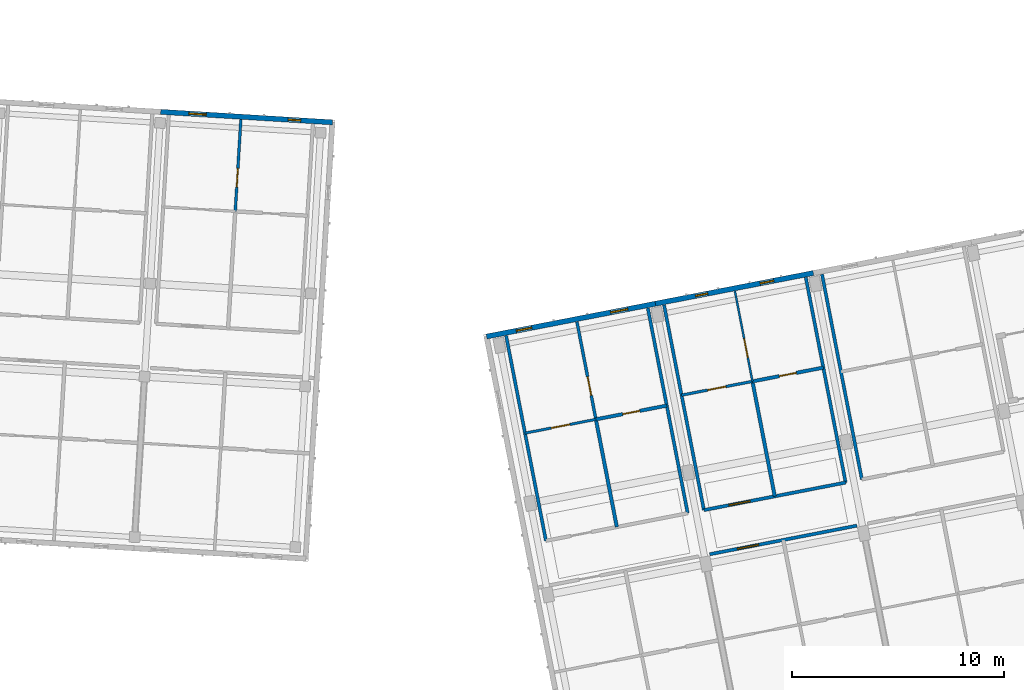
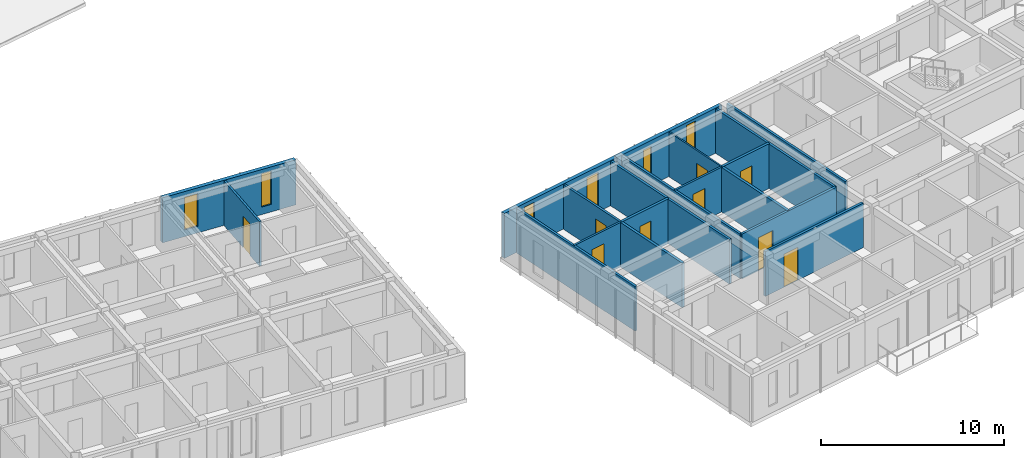
# One storey, part 24 of 74: 19 walls, 9 doors, 6 windows, 15 openings.
"""IFC4 building model written with IfcOpenShell, lengths in metres."""

from ifc_helpers import new_model, si_unit, direction, frame, frame_2d, origin, place, context, subcontext, project, spatial, rectangle, extrude, material, layer, layer_set, type_object, element, fill, save


model = new_model("IFC4")

# Units and contexts
model_context = context("Model", 3, precision=1e-05, world=origin(), true_north=direction((0.0, 1.0)))
body_context = subcontext(model_context, "Body", "Model", "MODEL_VIEW")
ifc_project = project(units=[si_unit("LENGTHUNIT", "METRE"), si_unit("AREAUNIT", "SQUARE_METRE"), si_unit("VOLUMEUNIT", "CUBIC_METRE"), si_unit("PLANEANGLEUNIT", "RADIAN"), si_unit("MASSUNIT", "GRAM", prefix="KILO")], contexts=[model_context])

# Site, building, storey
site_placement = place(None, origin())
site = spatial("IfcSite", under=ifc_project, at=site_placement, CompositionType="ELEMENT")
building_placement = place(site_placement, origin())
building = spatial("IfcBuilding", under=site, at=building_placement, Name="Kestramere Prow Commons", CompositionType="ELEMENT")
storey_placement = place(building_placement, frame((0.0, 0.0, 11.64990234375)))
storey = spatial("IfcBuildingStorey", under=building, at=storey_placement, Name="L03", CompositionType="ELEMENT", Elevation=11.64990234375)

# Wall, openings, windows
ifc_material_1 = material(Name="Fluoropolymer Standing-Seam Zinc-Aluminium Cladding", Category="aluminium")
ifc_layer_1 = layer(ifc_material_1, 0.239990234375)
ifc_layer_set_1 = layer_set([ifc_layer_1], Name="Fluoropolymer Standing-Seam Zinc-Aluminium Cladding")
wall_type_1 = type_object("IfcWallType", Name="EW-SEAM-240", PredefinedType="SOLIDWALL", material=ifc_layer_set_1)
wall_1_placement = place(storey_placement, frame((98.65771484375, 64.267578125, 0.0), z_axis=(0.0, 0.0, 1.0), x_axis=(0.998134248939, -0.061057522844, 0.0)))
wall_1 = element("IfcWall", 1, at=wall_1_placement, inside=storey, type_object=wall_type_1, Name="Block C L03 North Standing-Seam Wall 6", PredefinedType="SOLIDWALL", context=body_context, shape_type="SweptSolid", body=[
    extrude(rectangle(XDim=8.125, YDim=0.239990234375, at=frame_2d((4.0625, 0.0))), origin(), (0.0, 0.0, 1.0), 3.0),
])
opening_1_placement = place(wall_1_placement, frame((1.333984375, 0.0, 0.43994140625)))
opening_1 = element("IfcOpeningElement", 2, at=opening_1_placement, cuts=wall_1, Name="Opening WN-13", PredefinedType="OPENING", context=body_context, shape_type="SweptSolid", body=[
    extrude(rectangle(XDim=0.820068359375, YDim=2.179931640625, at=frame_2d((0.41015625, 1.08984375))), frame((0.0, 0.135009765625, 0.0), z_axis=(0.0, -1.0, 0.0), x_axis=(1.0, 0.0, 0.0)), (0.0, 0.0, 1.0), 0.27001953125),
])
opening_2_placement = place(wall_1_placement, frame((6.028564453125, 0.0, 0.5)))
opening_2 = element("IfcOpeningElement", 3, at=opening_2_placement, cuts=wall_1, Name="Opening WN-02", PredefinedType="OPENING", context=body_context, shape_type="SweptSolid", body=[
    extrude(rectangle(XDim=0.60009765625, YDim=2.219970703125, at=frame_2d((0.300048828125, 1.10986328125))), frame((0.0, 0.135009765625, 0.0), z_axis=(0.0, -1.0, 0.0), x_axis=(1.0, 0.0, 0.0)), (0.0, 0.0, 1.0), 0.27001953125),
])
ifc_material_2 = material(Name="Low-E Laminated Double Glazing", Category="glass")
window_type_1 = type_object("IfcWindowType", Name="WN-NAR-600A", PartitioningType="SINGLE_PANEL", PredefinedType="WINDOW", material=ifc_material_2)
window_1_placement = place(opening_2_placement, origin())
window_1 = element("IfcWindow", 4, at=window_1_placement, inside=storey, type_object=window_type_1, Name="WN-C-L03-N-5-1", OverallHeight=2.219970703125, OverallWidth=0.60009765625, PartitioningType="SINGLE_PANEL", PredefinedType="WINDOW", context=body_context, shape_type="SweptSolid", body=[
    extrude(rectangle(XDim=0.60009765625, YDim=2.219970703125, at=frame_2d((0.300048828125, 1.10986328125))), frame((0.0, 0.030029296875, 0.0), z_axis=(0.0, -1.0, 0.0), x_axis=(1.0, 0.0, 0.0)), (0.0, 0.0, 1.0), 0.06005859375),
])
fill(opening_2, window_1)
window_type_2 = type_object("IfcWindowType", Name="WN-NAR-820A", PartitioningType="DOUBLE_PANEL_VERTICAL", PredefinedType="WINDOW", material=ifc_material_2)
window_2_placement = place(opening_1_placement, origin())
window_2 = element("IfcWindow", 5, at=window_2_placement, inside=storey, type_object=window_type_2, Name="WN-C-L03-N-5-0", OverallHeight=2.179931640625, OverallWidth=0.820068359375, PartitioningType="SINGLE_PANEL", PredefinedType="WINDOW", context=body_context, shape_type="SweptSolid", body=[
    extrude(rectangle(XDim=0.820068359375, YDim=2.179931640625, at=frame_2d((0.41015625, 1.08984375))), frame((0.0, 0.030029296875, 0.0), z_axis=(0.0, -1.0, 0.0), x_axis=(1.0, 0.0, 0.0)), (0.0, 0.0, 1.0), 0.06005859375),
])
fill(opening_1, window_2)

wall_2_placement = place(storey_placement, frame((114.044677734375, 53.655029296875, 0.0), z_axis=(0.0, 0.0, 1.0), x_axis=(0.981627273155, 0.190808533872, 0.0)))
wall_2 = element("IfcWall", 6, at=wall_2_placement, inside=storey, type_object=wall_type_1, Name="Block D L03 North Standing-Seam Wall 1", PredefinedType="SOLIDWALL", context=body_context, shape_type="SweptSolid", body=[
    extrude(rectangle(XDim=8.124755859375, YDim=0.239990234375, at=frame_2d((4.0625, 0.0))), origin(), (0.0, 0.0, 1.0), 3.0),
])
opening_3_placement = place(wall_2_placement, frame((1.4345703125, 0.0, 0.5)))
opening_3 = element("IfcOpeningElement", 7, at=opening_3_placement, cuts=wall_2, Name="Opening WN-09", PredefinedType="OPENING", context=body_context, shape_type="SweptSolid", body=[
    extrude(rectangle(XDim=0.739990234375, YDim=2.260009765625, at=frame_2d((0.3701171875, 1.1298828125))), frame((0.0, 0.135009765625, 0.0), z_axis=(0.0, -1.0, 0.0), x_axis=(1.0, 0.0, 0.0)), (0.0, 0.0, 1.0), 0.27001953125),
])
opening_4_placement = place(wall_2_placement, frame((5.970947265625, 0.0, 0.43994140625)))
opening_4 = element("IfcOpeningElement", 8, at=opening_4_placement, cuts=wall_2, Name="Opening WN-13", PredefinedType="OPENING", context=body_context, shape_type="SweptSolid", body=[
    extrude(rectangle(XDim=0.820068359375, YDim=2.179931640625, at=frame_2d((0.41015625, 1.08984375))), frame((0.0, 0.135009765625, 0.0), z_axis=(0.0, -1.0, 0.0), x_axis=(1.0, 0.0, 0.0)), (0.0, 0.0, 1.0), 0.27001953125),
])
window_type_3 = type_object("IfcWindowType", Name="WN-NAR-740A", PartitioningType="SINGLE_PANEL", PredefinedType="WINDOW", material=ifc_material_2)
window_3_placement = place(opening_3_placement, origin())
window_3 = element("IfcWindow", 9, at=window_3_placement, inside=storey, type_object=window_type_3, Name="WN-D-L03-N-0-0", OverallHeight=2.260009765625, OverallWidth=0.739990234375, PartitioningType="SINGLE_PANEL", PredefinedType="WINDOW", context=body_context, shape_type="SweptSolid", body=[
    extrude(rectangle(XDim=0.739990234375, YDim=2.260009765625, at=frame_2d((0.3701171875, 1.1298828125))), frame((0.0, 0.030029296875, 0.0), z_axis=(0.0, -1.0, 0.0), x_axis=(1.0, 0.0, 0.0)), (0.0, 0.0, 1.0), 0.06005859375),
])
fill(opening_3, window_3)
window_4_placement = place(opening_4_placement, origin())
window_4 = element("IfcWindow", 10, at=window_4_placement, inside=storey, type_object=window_type_2, Name="WN-D-L03-N-0-1", OverallHeight=2.179931640625, OverallWidth=0.820068359375, PartitioningType="SINGLE_PANEL", PredefinedType="WINDOW", context=body_context, shape_type="SweptSolid", body=[
    extrude(rectangle(XDim=0.820068359375, YDim=2.179931640625, at=frame_2d((0.41015625, 1.08984375))), frame((0.0, 0.030029296875, 0.0), z_axis=(0.0, -1.0, 0.0), x_axis=(1.0, 0.0, 0.0)), (0.0, 0.0, 1.0), 0.06005859375),
])
fill(opening_4, window_4)

wall_3_placement = place(storey_placement, frame((122.020263671875, 55.205322265625, 0.0), z_axis=(0.0, 0.0, 1.0), x_axis=(0.981626422232, 0.190812911449, 0.0)))
wall_3 = element("IfcWall", 11, at=wall_3_placement, inside=storey, type_object=wall_type_1, Name="Block D L03 North Standing-Seam Wall 2", PredefinedType="SOLIDWALL", context=body_context, shape_type="SweptSolid", body=[
    extrude(rectangle(XDim=7.60009765625, YDim=0.239990234375, at=frame_2d((3.800048828125, 0.0))), origin(), (0.0, 0.0, 1.0), 3.0),
])
opening_5_placement = place(wall_3_placement, frame((1.93212890625, 0.0, 0.43994140625)))
opening_5 = element("IfcOpeningElement", 12, at=opening_5_placement, cuts=wall_3, Name="Opening WN-01", PredefinedType="OPENING", context=body_context, shape_type="SweptSolid", body=[
    extrude(rectangle(XDim=0.580078125, YDim=2.159912109375, at=frame_2d((0.2900390625, 1.080078125))), frame((0.0, 0.135009765625, 0.0), z_axis=(0.0, -1.0, 0.0), x_axis=(1.0, 0.0, 0.0)), (0.0, 0.0, 1.0), 0.27001953125),
])
opening_6_placement = place(wall_3_placement, frame((5.03759765625, 0.0, 0.5)))
opening_6 = element("IfcOpeningElement", 13, at=opening_6_placement, cuts=wall_3, Name="Opening WN-05", PredefinedType="OPENING", context=body_context, shape_type="SweptSolid", body=[
    extrude(rectangle(XDim=0.659912109375, YDim=2.320068359375, at=frame_2d((0.330078125, 1.16015625))), frame((0.0, 0.135009765625, 0.0), z_axis=(0.0, -1.0, 0.0), x_axis=(1.0, 0.0, 0.0)), (0.0, 0.0, 1.0), 0.27001953125),
])
window_type_4 = type_object("IfcWindowType", Name="WN-NAR-580A", PartitioningType="SINGLE_PANEL", PredefinedType="WINDOW", material=ifc_material_2)
window_5_placement = place(opening_5_placement, origin())
window_5 = element("IfcWindow", 14, at=window_5_placement, inside=storey, type_object=window_type_4, Name="WN-D-L03-N-1-0", OverallHeight=2.159912109375, OverallWidth=0.580078125, PartitioningType="SINGLE_PANEL", PredefinedType="WINDOW", context=body_context, shape_type="SweptSolid", body=[
    extrude(rectangle(XDim=0.580078125, YDim=2.159912109375, at=frame_2d((0.2900390625, 1.080078125))), frame((0.0, 0.030029296875, 0.0), z_axis=(0.0, -1.0, 0.0), x_axis=(1.0, 0.0, 0.0)), (0.0, 0.0, 1.0), 0.06005859375),
])
fill(opening_5, window_5)
window_type_5 = type_object("IfcWindowType", Name="WN-NAR-660A", PartitioningType="SINGLE_PANEL", PredefinedType="WINDOW", material=ifc_material_2)
window_6_placement = place(opening_6_placement, origin())
window_6 = element("IfcWindow", 15, at=window_6_placement, inside=storey, type_object=window_type_5, Name="WN-D-L03-N-1-1", OverallHeight=2.320068359375, OverallWidth=0.659912109375, PartitioningType="SINGLE_PANEL", PredefinedType="WINDOW", context=body_context, shape_type="SweptSolid", body=[
    extrude(rectangle(XDim=0.659912109375, YDim=2.320068359375, at=frame_2d((0.330078125, 1.16015625))), frame((0.0, 0.030029296875, 0.0), z_axis=(0.0, -1.0, 0.0), x_axis=(1.0, 0.0, 0.0)), (0.0, 0.0, 1.0), 0.06005859375),
])
fill(opening_6, window_6)

# Wall, opening, door
ifc_material_3 = material(Name="Fire-Rated Calcium Silicate Wall")
ifc_layer_2 = layer(ifc_material_3, 0.155029296875)
ifc_layer_set_2 = layer_set([ifc_layer_2], Name="Fire-Rated Calcium Silicate Wall")
wall_type_2 = type_object("IfcWallType", Name="W-FIRE-150", PredefinedType="PARTITIONING", material=ifc_layer_set_2)
wall_4_placement = place(storey_placement, frame((124.585205078125, 43.372314453125, 0.0), z_axis=(0.0, 0.0, 1.0), x_axis=(0.9816234647, 0.190828125677, 0.0)))
wall_4 = element("IfcWall", 16, at=wall_4_placement, inside=storey, type_object=wall_type_2, Name="Interior Partition PW-D-L03-CS-1", PredefinedType="PARTITIONING", context=body_context, shape_type="SweptSolid", body=[
    extrude(rectangle(XDim=7.080078125, YDim=0.155029296875, at=frame_2d((3.5400390625, 0.0))), origin(), (0.0, 0.0, 1.0), 2.97021484375),
])
opening_7_placement = place(wall_4_placement, frame((1.330078125, 0.0, 0.0)))
opening_7 = element("IfcOpeningElement", 17, at=opening_7_placement, cuts=wall_4, Name="Opening ID-05", PredefinedType="OPENING", context=body_context, shape_type="SweptSolid", body=[
    extrude(rectangle(XDim=1.02001953125, YDim=2.199951171875, at=frame_2d((0.510009765625, 1.10009765625))), frame((0.0, 0.092529296875, 0.0), z_axis=(0.0, -1.0, 0.0), x_axis=(1.0, 0.0, 0.0)), (0.0, 0.0, 1.0), 0.18505859375),
])
ifc_material_4 = material(Name="Hardwood Fire-Rated Flat Entrance Door", Category="wood")
door_type_1 = type_object("IfcDoorType", Name="FD-ENT-02", OperationType="NOTDEFINED", PredefinedType="DOOR", material=ifc_material_4)
door_1_placement = place(opening_7_placement, origin())
door_1 = element("IfcDoor", 18, at=door_1_placement, inside=storey, type_object=door_type_1, Name="Interior Door DR-D-L03-ENT-S1", OperationType="SINGLE_SWING_LEFT", OverallHeight=2.199951171875, OverallWidth=1.02001953125, PredefinedType="DOOR", context=body_context, shape_type="SweptSolid", body=[
    extrude(rectangle(XDim=1.02001953125, YDim=2.199951171875, at=frame_2d((0.510009765625, 1.10009765625))), frame((0.0, 0.02490234375, 0.0), z_axis=(0.0, -1.0, 0.0), x_axis=(1.0, 0.0, 0.0)), (0.0, 0.0, 1.0), 0.050048828125),
])
fill(opening_7, door_1)

wall_5_placement = place(storey_placement, frame((124.312255859375, 45.458740234375, 0.0), z_axis=(0.0, 0.0, 1.0), x_axis=(0.981627870431, 0.190805461121, 0.0)))
wall_5 = element("IfcWall", 19, at=wall_5_placement, inside=storey, type_object=wall_type_2, Name="Interior Partition PW-D-L03-CN-1", PredefinedType="PARTITIONING", context=body_context, shape_type="SweptSolid", body=[
    extrude(rectangle(XDim=6.81982421875, YDim=0.155029296875, at=frame_2d((3.409912109375, 0.0))), origin(), (0.0, 0.0, 1.0), 2.97021484375),
])
opening_8_placement = place(wall_5_placement, frame((1.205078125, 0.0, 0.0)))
opening_8 = element("IfcOpeningElement", 20, at=opening_8_placement, cuts=wall_5, Name="Opening ID-05", PredefinedType="OPENING", context=body_context, shape_type="SweptSolid", body=[
    extrude(rectangle(XDim=1.02001953125, YDim=2.199951171875, at=frame_2d((0.510009765625, 1.10009765625))), frame((0.0, 0.092529296875, 0.0), z_axis=(0.0, -1.0, 0.0), x_axis=(1.0, 0.0, 0.0)), (0.0, 0.0, 1.0), 0.18505859375),
])
door_2_placement = place(opening_8_placement, origin())
door_2 = element("IfcDoor", 21, at=door_2_placement, inside=storey, type_object=door_type_1, Name="Interior Door DR-D-L03-ENT-N1", OperationType="SINGLE_SWING_LEFT", OverallHeight=2.199951171875, OverallWidth=1.02001953125, PredefinedType="DOOR", context=body_context, shape_type="SweptSolid", body=[
    extrude(rectangle(XDim=1.02001953125, YDim=2.199951171875, at=frame_2d((0.510009765625, 1.10009765625))), frame((0.0, 0.02490234375, 0.0), z_axis=(0.0, -1.0, 0.0), x_axis=(1.0, 0.0, 0.0)), (0.0, 0.0, 1.0), 0.050048828125),
])
fill(opening_8, door_2)

ifc_material_5 = material(Name="Lightweight Blockwork and Plaster", Category="masonry")
ifc_layer_3 = layer(ifc_material_5, 0.1201171875)
ifc_layer_set_3 = layer_set([ifc_layer_3], Name="Lightweight Blockwork and Plaster")
wall_type_3 = type_object("IfcWallType", Name="W-PART-120", PredefinedType="PARTITIONING", material=ifc_layer_set_3)
wall_6_placement = place(storey_placement, frame((115.863525390625, 49.09326171875, 0.0), z_axis=(0.0, 0.0, 1.0), x_axis=(0.98162656706, 0.190812166391, 0.0)))
wall_6 = element("IfcWall", 22, at=wall_6_placement, inside=storey, type_object=wall_type_3, Name="Interior Partition PW-D-L03-MIDN1-0", PredefinedType="PARTITIONING", context=body_context, shape_type="SweptSolid", body=[
    extrude(rectangle(XDim=3.409912109375, YDim=0.1201171875, at=frame_2d((1.705078125, 0.0))), origin(), (0.0, 0.0, 1.0), 2.97021484375),
])
opening_9_placement = place(wall_6_placement, frame((1.2548828125, 0.0, 0.0)))
opening_9 = element("IfcOpeningElement", 23, at=opening_9_placement, cuts=wall_6, Name="Opening ID-08", PredefinedType="OPENING", context=body_context, shape_type="SweptSolid", body=[
    extrude(rectangle(XDim=0.89990234375, YDim=2.10009765625, at=frame_2d((0.449951171875, 1.050048828125))), frame((0.0, 0.074951171875, 0.0), z_axis=(0.0, -1.0, 0.0), x_axis=(1.0, 0.0, 0.0)), (0.0, 0.0, 1.0), 0.150146484375),
])
ifc_material_6 = material(Name="Engineered Timber Flush Door", Category="wood")
door_type_2 = type_object("IfcDoorType", Name="D-RM-01", OperationType="NOTDEFINED", PredefinedType="DOOR", material=ifc_material_6)
door_3_placement = place(opening_9_placement, origin())
door_3 = element("IfcDoor", 24, at=door_3_placement, inside=storey, type_object=door_type_2, Name="Interior Door DR-D-L03-KL-N0", OperationType="SINGLE_SWING_LEFT", OverallHeight=2.10009765625, OverallWidth=0.89990234375, PredefinedType="DOOR", context=body_context, shape_type="SweptSolid", body=[
    extrude(rectangle(XDim=0.89990234375, YDim=2.10009765625, at=frame_2d((0.449951171875, 1.050048828125))), frame((0.0, 0.02490234375, 0.0), z_axis=(0.0, -1.0, 0.0), x_axis=(1.0, 0.0, 0.0)), (0.0, 0.0, 1.0), 0.050048828125),
])
fill(opening_9, door_3)

ifc_layer_4 = layer(ifc_material_5, 0.1298828125)
ifc_layer_set_4 = layer_set([ifc_layer_4], Name="Lightweight Blockwork and Plaster")
wall_type_4 = type_object("IfcWallType", Name="W-PART-130", PredefinedType="PARTITIONING", material=ifc_layer_set_4)
wall_7_placement = place(storey_placement, frame((102.177490234375, 59.569091796875, 0.0), z_axis=(0.0, 0.0, 1.0), x_axis=(0.061036861365, 0.998135512621, 0.0)))
wall_7 = element("IfcWall", 25, at=wall_7_placement, inside=storey, type_object=wall_type_4, Name="Interior Partition PW-C-L03-LB-N5", PredefinedType="PARTITIONING", context=body_context, shape_type="SweptSolid", body=[
    extrude(rectangle(XDim=4.33984375, YDim=0.1298828125, at=frame_2d((2.169921875, 0.0))), origin(), (0.0, 0.0, 1.0), 2.97021484375),
])
opening_10_placement = place(wall_7_placement, frame((1.14990234375, 0.0, 0.0)))
opening_10 = element("IfcOpeningElement", 26, at=opening_10_placement, cuts=wall_7, Name="Opening ID-10", PredefinedType="OPENING", context=body_context, shape_type="SweptSolid", body=[
    extrude(rectangle(XDim=0.8798828125, YDim=2.10009765625, at=frame_2d((0.43994140625, 1.050048828125))), frame((0.0, 0.079833984375, 0.0), z_axis=(0.0, -1.0, 0.0), x_axis=(1.0, 0.0, 0.0)), (0.0, 0.0, 1.0), 0.159912109375),
])
ifc_material_7 = material(Name="Engineered Timber Bedroom Door", Category="wood")
door_type_3 = type_object("IfcDoorType", Name="D-RM-03", OperationType="NOTDEFINED", PredefinedType="DOOR", material=ifc_material_7)
door_4_placement = place(opening_10_placement, origin())
door_4 = element("IfcDoor", 27, at=door_4_placement, inside=storey, type_object=door_type_3, Name="Interior Door DR-C-L03-BED-N5", OperationType="SINGLE_SWING_LEFT", OverallHeight=2.10009765625, OverallWidth=0.8798828125, PredefinedType="DOOR", context=body_context, shape_type="SweptSolid", body=[
    extrude(rectangle(XDim=0.8798828125, YDim=2.10009765625, at=frame_2d((0.43994140625, 1.050048828125))), frame((0.0, 0.02490234375, 0.0), z_axis=(0.0, -1.0, 0.0), x_axis=(1.0, 0.0, 0.0)), (0.0, 0.0, 1.0), 0.050048828125),
])
fill(opening_10, door_4)

wall_8_placement = place(storey_placement, frame((123.257080078125, 50.886962890625, 0.0), z_axis=(0.0, 0.0, 1.0), x_axis=(0.981629173664, 0.190798756314, 0.0)))
wall_8 = element("IfcWall", 28, at=wall_8_placement, inside=storey, type_object=wall_type_4, Name="Interior Partition PW-D-L03-MIDN1-1", PredefinedType="PARTITIONING", context=body_context, shape_type="SweptSolid", body=[
    extrude(rectangle(XDim=3.41015625, YDim=0.1298828125, at=frame_2d((1.705078125, 0.0))), origin(), (0.0, 0.0, 1.0), 2.97021484375),
])
opening_11_placement = place(wall_8_placement, frame((1.2548828125, 0.0, 0.0)))
opening_11 = element("IfcOpeningElement", 29, at=opening_11_placement, cuts=wall_8, Name="Opening ID-10", PredefinedType="OPENING", context=body_context, shape_type="SweptSolid", body=[
    extrude(rectangle(XDim=0.8798828125, YDim=2.10009765625, at=frame_2d((0.43994140625, 1.050048828125))), frame((0.0, 0.079833984375, 0.0), z_axis=(0.0, -1.0, 0.0), x_axis=(1.0, 0.0, 0.0)), (0.0, 0.0, 1.0), 0.159912109375),
])
door_5_placement = place(opening_11_placement, origin())
door_5 = element("IfcDoor", 30, at=door_5_placement, inside=storey, type_object=door_type_3, Name="Interior Door DR-D-L03-KL-N1", OperationType="SINGLE_SWING_LEFT", OverallHeight=2.10009765625, OverallWidth=0.8798828125, PredefinedType="DOOR", context=body_context, shape_type="SweptSolid", body=[
    extrude(rectangle(XDim=0.8798828125, YDim=2.10009765625, at=frame_2d((0.43994140625, 1.050048828125))), frame((0.0, 0.02490234375, 0.0), z_axis=(0.0, -1.0, 0.0), x_axis=(1.0, 0.0, 0.0)), (0.0, 0.0, 1.0), 0.050048828125),
])
fill(opening_11, door_5)

ifc_material_8 = material(Name="Masonry Compartment Wall", Category="masonry")
ifc_layer_5 = layer(ifc_material_8, 0.139892578125)
ifc_layer_set_5 = layer_set([ifc_layer_5], Name="Masonry Compartment Wall")
wall_type_5 = type_object("IfcWallType", Name="W-PART-140", PredefinedType="PARTITIONING", material=ifc_layer_set_5)
wall_9_placement = place(storey_placement, frame((119.210693359375, 49.743896484375, 0.0), z_axis=(0.0, 0.0, 1.0), x_axis=(-0.190777702748, 0.981633265601, 0.0)))
wall_9 = element("IfcWall", 31, at=wall_9_placement, inside=storey, type_object=wall_type_5, Name="Interior Partition PW-D-L03-LB-N0", PredefinedType="PARTITIONING", context=body_context, shape_type="SweptSolid", body=[
    extrude(rectangle(XDim=4.690185546875, YDim=0.139892578125, at=frame_2d((2.34521484375, 0.0))), origin(), (0.0, 0.0, 1.0), 2.97021484375),
])
opening_12_placement = place(wall_9_placement, frame((1.14990234375, 0.0, 0.0)))
opening_12 = element("IfcOpeningElement", 32, at=opening_12_placement, cuts=wall_9, Name="Opening ID-08", PredefinedType="OPENING", context=body_context, shape_type="SweptSolid", body=[
    extrude(rectangle(XDim=0.89990234375, YDim=2.10009765625, at=frame_2d((0.449951171875, 1.050048828125))), frame((0.0, 0.0849609375, 0.0), z_axis=(0.0, -1.0, 0.0), x_axis=(1.0, 0.0, 0.0)), (0.0, 0.0, 1.0), 0.169921875),
])
door_6_placement = place(opening_12_placement, origin())
door_6 = element("IfcDoor", 33, at=door_6_placement, inside=storey, type_object=door_type_2, Name="Interior Door DR-D-L03-BED-N0", OperationType="SINGLE_SWING_LEFT", OverallHeight=2.10009765625, OverallWidth=0.89990234375, PredefinedType="DOOR", context=body_context, shape_type="SweptSolid", body=[
    extrude(rectangle(XDim=0.89990234375, YDim=2.10009765625, at=frame_2d((0.449951171875, 1.050048828125))), frame((0.0, 0.02490234375, 0.0), z_axis=(0.0, -1.0, 0.0), x_axis=(1.0, 0.0, 0.0)), (0.0, 0.0, 1.0), 0.050048828125),
])
fill(opening_12, door_6)

# Walls
ifc_layer_6 = layer(ifc_material_8, 0.14990234375)
ifc_layer_set_6 = layer_set([ifc_layer_6], Name="Masonry Compartment Wall")
wall_type_6 = type_object("IfcWallType", Name="W-PART-150", PredefinedType="PARTITIONING", material=ifc_layer_set_6)
wall_10_placement = place(storey_placement, frame((116.851806640625, 44.008544921875, 0.0), z_axis=(0.0, 0.0, 1.0), x_axis=(-0.190814044018, 0.981626202078, 0.0)))
element("IfcWall", 34, at=wall_10_placement, inside=storey, type_object=wall_type_6, Name="Interior Partition PW-D-L03-NWL-0", PredefinedType="PARTITIONING", context=body_context, shape_type="SweptSolid", body=[
    extrude(rectangle(XDim=9.869873046875, YDim=0.14990234375, at=frame_2d((4.93505859375, 0.0))), origin(), (0.0, 0.0, 1.0), 2.97021484375),
])
wall_11_placement = place(storey_placement, frame((123.546630859375, 45.309814453125, 0.0), z_axis=(0.0, 0.0, 1.0), x_axis=(-0.190809410863, 0.981627102685, 0.0)))
element("IfcWall", 35, at=wall_11_placement, inside=storey, type_object=wall_type_6, Name="Interior Partition PW-D-L03-NWR-0", PredefinedType="PARTITIONING", context=body_context, shape_type="SweptSolid", body=[
    extrude(rectangle(XDim=9.8701171875, YDim=0.14990234375, at=frame_2d((4.93505859375, 0.0))), origin(), (0.0, 0.0, 1.0), 2.97021484375),
])
wall_12_placement = place(storey_placement, frame((124.312255859375, 45.458740234375, 0.0), z_axis=(0.0, 0.0, 1.0), x_axis=(-0.190814044018, 0.981626202078, 0.0)))
element("IfcWall", 36, at=wall_12_placement, inside=storey, type_object=wall_type_6, Name="Interior Partition PW-D-L03-NWL-1", PredefinedType="PARTITIONING", context=body_context, shape_type="SweptSolid", body=[
    extrude(rectangle(XDim=9.869873046875, YDim=0.14990234375, at=frame_2d((4.93505859375, 0.0))), origin(), (0.0, 0.0, 1.0), 2.97021484375),
])
for number, where, z_axis, x_axis, name in (
    (37, (131.0068359375, 46.760009765625, 0.0), (0.0, 0.0, 1.0), (-0.190809410863, 0.981627102685, 0.0), "Interior Partition PW-D-L03-NWR-1"),
    (38, (131.7724609375, 46.90869140625, 0.0), (0.0, 0.0, 1.0), (-0.1907855758, 0.981631735462, 0.0), "Interior Partition PW-D-L03-NWL-2"),
):
    element("IfcWall", number, at=place(storey_placement, frame(where, z_axis=z_axis, x_axis=x_axis)), inside=storey, type_object=wall_type_6, Name=name, PredefinedType="PARTITIONING", context=body_context, shape_type="SweptSolid", body=[
        extrude(rectangle(XDim=9.8701171875, YDim=0.14990234375, at=frame_2d((4.93505859375, 0.0))), origin(), (0.0, 0.0, 1.0), 2.97021484375),
    ])

# Wall, opening, door
ifc_material_9 = material(Name="Gypsum Acoustic Drywall")
ifc_layer_7 = layer(ifc_material_9, 0.094970703125)
ifc_layer_set_7 = layer_set([ifc_layer_7], Name="Gypsum Acoustic Drywall")
wall_type_7 = type_object("IfcWallType", Name="W-PART-95", PredefinedType="PARTITIONING", material=ifc_layer_set_7)
wall_13_placement = place(storey_placement, frame((126.6044921875, 51.53759765625, 0.0), z_axis=(0.0, 0.0, 1.0), x_axis=(-0.190812443151, 0.981626513262, 0.0)))
wall_13 = element("IfcWall", 39, at=wall_13_placement, inside=storey, type_object=wall_type_7, Name="Interior Partition PW-D-L03-LB-N1", PredefinedType="PARTITIONING", context=body_context, shape_type="SweptSolid", body=[
    extrude(rectangle(XDim=4.340087890625, YDim=0.094970703125, at=frame_2d((2.169921875, 0.0))), origin(), (0.0, 0.0, 1.0), 2.97021484375),
])
opening_13_placement = place(wall_13_placement, frame((1.14990234375, 0.0, 0.0)))
opening_13 = element("IfcOpeningElement", 40, at=opening_13_placement, cuts=wall_13, Name="Opening ID-08", PredefinedType="OPENING", context=body_context, shape_type="SweptSolid", body=[
    extrude(rectangle(XDim=0.89990234375, YDim=2.10009765625, at=frame_2d((0.449951171875, 1.050048828125))), frame((0.0, 0.0625, 0.0), z_axis=(0.0, -1.0, 0.0), x_axis=(1.0, 0.0, 0.0)), (0.0, 0.0, 1.0), 0.125),
])
door_7_placement = place(opening_13_placement, origin())
door_7 = element("IfcDoor", 41, at=door_7_placement, inside=storey, type_object=door_type_2, Name="Interior Door DR-D-L03-BED-N1", OperationType="SINGLE_SWING_LEFT", OverallHeight=2.10009765625, OverallWidth=0.89990234375, PredefinedType="DOOR", context=body_context, shape_type="SweptSolid", body=[
    extrude(rectangle(XDim=0.89990234375, YDim=2.10009765625, at=frame_2d((0.449951171875, 1.050048828125))), frame((0.0, 0.02490234375, 0.0), z_axis=(0.0, -1.0, 0.0), x_axis=(1.0, 0.0, 0.0)), (0.0, 0.0, 1.0), 0.050048828125),
])
fill(opening_13, door_7)

ifc_material_10 = material(Name="Waterproof Sanitary Masonry Wall", Category="masonry")
ifc_layer_8 = layer(ifc_material_10, 0.1650390625)
ifc_layer_set_8 = layer_set([ifc_layer_8], Name="Waterproof Sanitary Masonry Wall")
wall_type_8 = type_object("IfcWallType", Name="W-PLUMB-150", PredefinedType="PLUMBINGWALL", material=ifc_layer_set_8)
wall_14_placement = place(storey_placement, frame((119.210693359375, 49.743896484375, 0.0), z_axis=(0.0, 0.0, 1.0), x_axis=(0.981629173664, 0.190798756314, 0.0)))
wall_14 = element("IfcWall", 42, at=wall_14_placement, inside=storey, type_object=wall_type_8, Name="Interior Partition PW-D-L03-MIDN2-0", PredefinedType="PLUMBINGWALL", context=body_context, shape_type="SweptSolid", body=[
    extrude(rectangle(XDim=3.41015625, YDim=0.1650390625, at=frame_2d((1.705078125, 0.0))), origin(), (0.0, 0.0, 1.0), 2.97021484375),
])
opening_14_placement = place(wall_14_placement, frame((1.294921875, 0.0, 0.0)))
opening_14 = element("IfcOpeningElement", 43, at=opening_14_placement, cuts=wall_14, Name="Opening ID-11", PredefinedType="OPENING", context=body_context, shape_type="SweptSolid", body=[
    extrude(rectangle(XDim=0.820068359375, YDim=2.080078125, at=frame_2d((0.41015625, 1.0400390625))), frame((0.0, 0.097412109375, 0.0), z_axis=(0.0, -1.0, 0.0), x_axis=(1.0, 0.0, 0.0)), (0.0, 0.0, 1.0), 0.195068359375),
])
ifc_material_11 = material(Name="Moisture-Resistant Timber Bathroom Door", Category="wood")
door_type_4 = type_object("IfcDoorType", Name="D-BT-01", OperationType="NOTDEFINED", PredefinedType="DOOR", material=ifc_material_11)
door_8_placement = place(opening_14_placement, origin())
door_8 = element("IfcDoor", 44, at=door_8_placement, inside=storey, type_object=door_type_4, Name="Interior Door DR-D-L03-BTH-N0", OperationType="SINGLE_SWING_RIGHT", OverallHeight=2.080078125, OverallWidth=0.820068359375, PredefinedType="DOOR", context=body_context, shape_type="SweptSolid", body=[
    extrude(rectangle(XDim=0.820068359375, YDim=2.080078125, at=frame_2d((0.41015625, 1.0400390625))), frame((0.0, 0.02490234375, 0.0), z_axis=(0.0, -1.0, 0.0), x_axis=(1.0, 0.0, 0.0)), (0.0, 0.0, 1.0), 0.050048828125),
])
fill(opening_14, door_8)

# Wall
wall_15_placement = place(storey_placement, frame((120.19921875, 44.6591796875, 0.0), z_axis=(0.0, 0.0, 1.0), x_axis=(-0.190838120755, 0.981621521599, 0.0)))
element("IfcWall", 45, at=wall_15_placement, inside=storey, type_object=wall_type_8, Name="Interior Partition PW-D-L03-KB-N0", PredefinedType="PLUMBINGWALL", context=body_context, shape_type="SweptSolid", body=[
    extrude(rectangle(XDim=5.179931640625, YDim=0.1650390625, at=frame_2d((2.58984375, 0.0))), origin(), (0.0, 0.0, 1.0), 2.97021484375),
])

# Wall, opening, door
wall_16_placement = place(storey_placement, frame((126.6044921875, 51.53759765625, 0.0), z_axis=(0.0, 0.0, 1.0), x_axis=(0.98162656706, 0.190812166391, 0.0)))
wall_16 = element("IfcWall", 46, at=wall_16_placement, inside=storey, type_object=wall_type_8, Name="Interior Partition PW-D-L03-MIDN2-1", PredefinedType="PLUMBINGWALL", context=body_context, shape_type="SweptSolid", body=[
    extrude(rectangle(XDim=3.409912109375, YDim=0.1650390625, at=frame_2d((1.705078125, 0.0))), origin(), (0.0, 0.0, 1.0), 2.97021484375),
])
opening_15_placement = place(wall_16_placement, frame((1.294921875, 0.0, 0.0)))
opening_15 = element("IfcOpeningElement", 47, at=opening_15_placement, cuts=wall_16, Name="Opening ID-11", PredefinedType="OPENING", context=body_context, shape_type="SweptSolid", body=[
    extrude(rectangle(XDim=0.820068359375, YDim=2.080078125, at=frame_2d((0.41015625, 1.0400390625))), frame((0.0, 0.097412109375, 0.0), z_axis=(0.0, -1.0, 0.0), x_axis=(1.0, 0.0, 0.0)), (0.0, 0.0, 1.0), 0.195068359375),
])
door_9_placement = place(opening_15_placement, origin())
door_9 = element("IfcDoor", 48, at=door_9_placement, inside=storey, type_object=door_type_4, Name="Interior Door DR-D-L03-BTH-N1", OperationType="SINGLE_SWING_RIGHT", OverallHeight=2.080078125, OverallWidth=0.820068359375, PredefinedType="DOOR", context=body_context, shape_type="SweptSolid", body=[
    extrude(rectangle(XDim=0.820068359375, YDim=2.080078125, at=frame_2d((0.41015625, 1.0400390625))), frame((0.0, 0.02490234375, 0.0), z_axis=(0.0, -1.0, 0.0), x_axis=(1.0, 0.0, 0.0)), (0.0, 0.0, 1.0), 0.050048828125),
])
fill(opening_15, door_9)

# Wall
wall_17_placement = place(storey_placement, frame((127.65966796875, 46.109375, 0.0), z_axis=(0.0, 0.0, 1.0), x_axis=(-0.190815300433, 0.981625957848, 0.0)))
element("IfcWall", 49, at=wall_17_placement, inside=storey, type_object=wall_type_8, Name="Interior Partition PW-D-L03-KB-N1", PredefinedType="PLUMBINGWALL", context=body_context, shape_type="SweptSolid", body=[
    extrude(rectangle(XDim=5.52978515625, YDim=0.1650390625, at=frame_2d((2.764892578125, 0.0))), origin(), (0.0, 0.0, 1.0), 2.97021484375),
])

save(model, "model.ifc")
